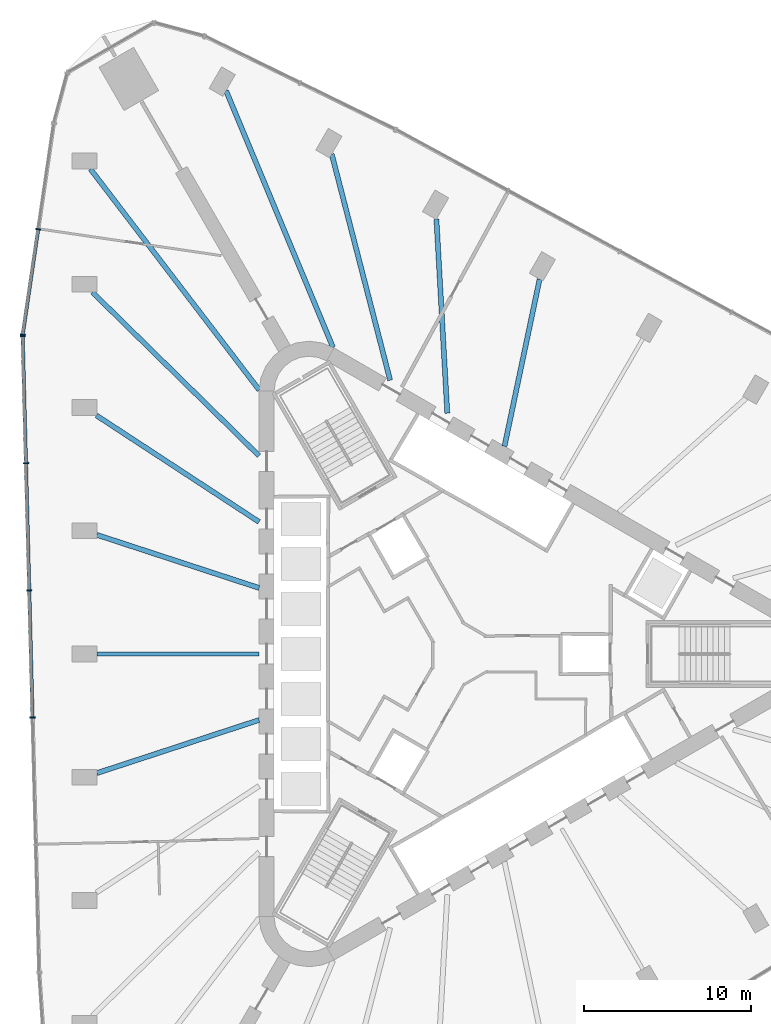
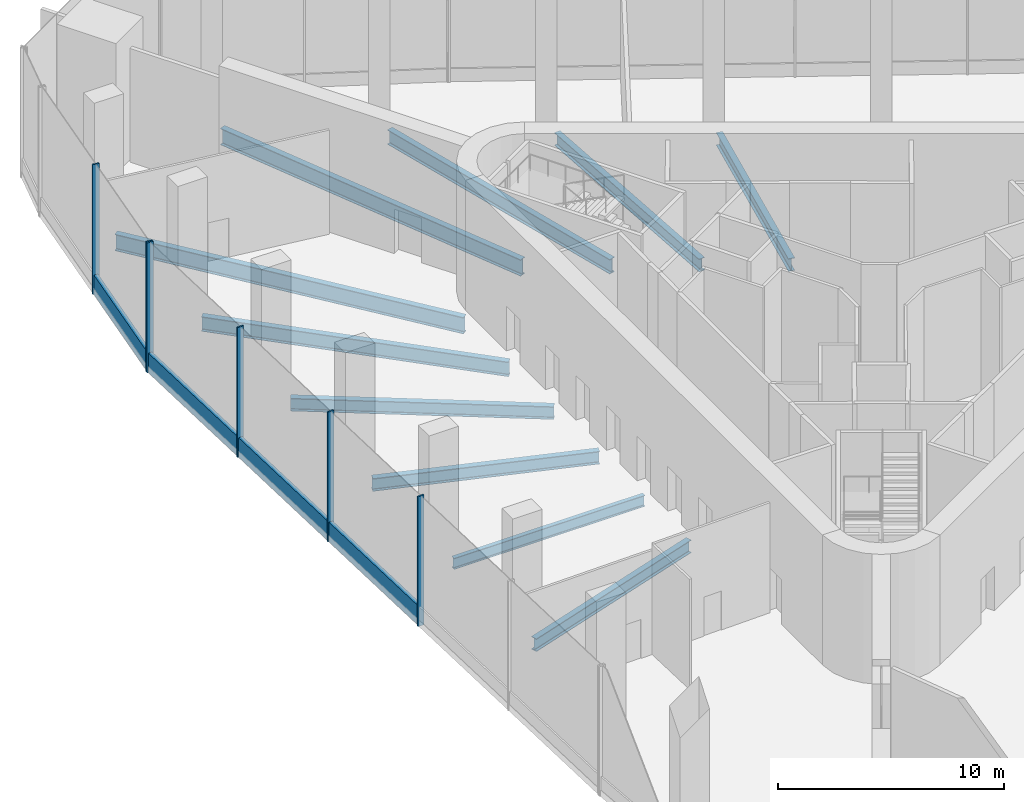
# One storey, part 4 of 15: 10 beams, 10 members, 2 elements without a shape of their own.
"""IFC4 building model written with IfcOpenShell, lengths in metres."""

import ifcopenshell
import ifcopenshell.guid

model = None  # the IFC model being written
_history = None  # IfcOwnerHistory: only IFC2X3 demands one
_inside = {}  # id of a spatial element -> (the spatial element, [elements in it])
_under = {}  # id of a project, library or spatial element -> (it, [spatial elements below it])
_declared = {}  # id of a project -> (the project, [libraries it declares])
_typed = {}  # id of a type object -> (the type object, [elements of that type])
_made_of = {}  # id of a material, layer set ... -> (it, [elements and type objects made of it])


def new_model(schema):
    """Start an empty IFC model of exactly this schema.

    Asked for "IFC4X3", IfcOpenShell would pick the latest addendum, in which some entities
    have other attributes; the version numbers below select the first issue.
    IFC2X3 requires an IfcOwnerHistory on every rooted entity: one is made here for all.
    """
    global model, _history
    if schema == "IFC4X3":
        model = ifcopenshell.file(schema_version=(4, 3, 0, 0))
    else:
        model = ifcopenshell.file(schema=schema)
    _inside.clear()
    _under.clear()
    _declared.clear()
    _typed.clear()
    _made_of.clear()
    _history = None
    if model.schema == "IFC2X3":
        org = make("IfcOrganization", Name="unknown")
        user = make(
            "IfcPersonAndOrganization",
            ThePerson=make("IfcPerson", FamilyName="unknown"),
            TheOrganization=org,
        )
        app = make(
            "IfcApplication",
            ApplicationDeveloper=org,
            Version="unknown",
            ApplicationFullName="unknown",
            ApplicationIdentifier="unknown",
        )
        _history = make(
            "IfcOwnerHistory",
            OwningUser=user,
            OwningApplication=app,
            ChangeAction="ADDED",
            CreationDate=0,
        )
    return model


def make(cls, **values):
    """One entity of the class cls with the attributes given. An attribute that is None is left unset."""
    return model.create_entity(
        cls, **{name: value for name, value in values.items() if value is not None}
    )


def rooted(cls, **values):
    """An entity with a GlobalId (a new one), such as an element, a storey or a relation."""
    return make(cls, GlobalId=ifcopenshell.guid.new(), OwnerHistory=_history, **values)


def si_unit(unit_type, name, prefix=None):
    """IfcSIUnit, for example si_unit("LENGTHUNIT", "METRE", prefix="MILLI")."""
    return make("IfcSIUnit", UnitType=unit_type, Prefix=prefix, Name=name)


def assignment(units):
    """IfcUnitAssignment: the units of a project."""
    return None if units is None else make("IfcUnitAssignment", Units=units)


def point(xyz):
    """IfcCartesianPoint."""
    return None if xyz is None else make("IfcCartesianPoint", Coordinates=xyz)


def direction(xyz):
    """IfcDirection."""
    return None if xyz is None else make("IfcDirection", DirectionRatios=xyz)


def frame(location, z_axis=None, x_axis=None):
    """IfcAxis2Placement3D, a coordinate frame: its origin and axes. An axis left out is left unset."""
    return make(
        "IfcAxis2Placement3D",
        Location=point(location),
        Axis=direction(z_axis),
        RefDirection=direction(x_axis),
    )


def frame_2d(location, x_axis=None):
    """IfcAxis2Placement2D, a coordinate frame in the plane: its origin and x axis."""
    return make(
        "IfcAxis2Placement2D", Location=point(location), RefDirection=direction(x_axis)
    )


def origin():
    """The frame at (0, 0, 0) with its axes left unset."""
    return frame((0.0, 0.0, 0.0))


def origin_2d():
    """The frame at (0, 0) in the plane with its x axis left unset."""
    return frame_2d((0.0, 0.0))


def place(relative_to, where):
    """IfcLocalPlacement: puts the frame where relative to a parent placement (None: the world)."""
    return make(
        "IfcLocalPlacement", PlacementRelTo=relative_to, RelativePlacement=where
    )


def context(
    kind, dimensions, precision=None, world=None, true_north=None, identifier=None
):
    """IfcGeometricRepresentationContext, for example the 3D "Model" context."""
    return make(
        "IfcGeometricRepresentationContext",
        ContextIdentifier=identifier,
        ContextType=kind,
        CoordinateSpaceDimension=dimensions,
        Precision=precision,
        WorldCoordinateSystem=world,
        TrueNorth=true_north,
    )


def subcontext(parent, identifier, kind, view, scale=None):
    """IfcGeometricRepresentationSubContext, for example "Body" below "Model"."""
    return make(
        "IfcGeometricRepresentationSubContext",
        ContextIdentifier=identifier,
        ContextType=kind,
        ParentContext=parent,
        TargetScale=scale,
        TargetView=view,
    )


def project(units=None, contexts=None):
    """IfcProject with its units and contexts."""
    return rooted(
        "IfcProject",
        Name="project",
        RepresentationContexts=contexts,
        UnitsInContext=assignment(units),
    )


def spatial(cls, under=None, at=None, **own):
    """A site, building, storey or space (cls), placed at a placement, below another one or the project."""
    s = rooted(cls, ObjectPlacement=at, **own)
    if under is not None:
        _under.setdefault(under.id(), (under, []))[1].append(s)
    return s


def profile(cls, at=None, kind="AREA", **sizes):
    """A parametric profile (cls). Its sizes go by their IFC names, for example OverallWidth=200.0."""
    return make(cls, ProfileType=kind, Position=at, **sizes)


def rectangle(**sizes):
    """IfcRectangleProfileDef."""
    return profile("IfcRectangleProfileDef", **sizes)


def i_section(**sizes):
    """IfcIShapeProfileDef."""
    return profile("IfcIShapeProfileDef", **sizes)


def extrude(swept, where, along, depth):
    """IfcExtrudedAreaSolid: the profile swept, set in the frame where, extruded along a direction by depth."""
    return make(
        "IfcExtrudedAreaSolid",
        SweptArea=swept,
        Position=where,
        ExtrudedDirection=direction(along),
        Depth=depth,
    )


def shape(context_of_items, identifier, shape_type, items):
    """IfcShapeRepresentation: the items that make up one representation, for example the "Body"."""
    return make(
        "IfcShapeRepresentation",
        ContextOfItems=context_of_items,
        RepresentationIdentifier=identifier,
        RepresentationType=shape_type,
        Items=items,
    )


def material(Name=None, Category=None):
    """IfcMaterial."""
    return make("IfcMaterial", Name=Name, Category=Category)


def material_profile(
    of_material, cross_section, Name=None, Category=None, Priority=None
):
    """IfcMaterialProfile: a cross section and its material."""
    return make(
        "IfcMaterialProfile",
        Name=Name,
        Material=of_material,
        Profile=cross_section,
        Priority=Priority,
        Category=Category,
    )


def profile_set(profiles, Name=None, composite=None):
    """IfcMaterialProfileSet."""
    return make(
        "IfcMaterialProfileSet",
        Name=Name,
        MaterialProfiles=profiles,
        CompositeProfile=composite,
    )


def made_of(thing, what):
    """Note that an element or type object is made of a material, layer set ...; save() writes the relation."""
    if what is not None:
        _made_of.setdefault(what.id(), (what, []))[1].append(thing)
    return thing


def type_object(cls, material=None, **own):
    """A type object (cls), such as IfcWallType, which elements share."""
    return made_of(rooted(cls, **own), material)


def element(
    cls,
    number,
    at=None,
    inside=None,
    cuts=None,
    type_object=None,
    material=None,
    context=None,
    identifier="Body",
    shape_type=None,
    held_by="IfcProductDefinitionShape",
    body=None,
    shapes=None,
    **own,
):
    """One element of the class cls, such as IfcWall. Its Tag is "e" and its number.

    at: its placement. inside: the storey or other place that contains it. cuts: it is an
    opening in that element (IfcRelVoidsElement). A single representation is given by context,
    identifier, shape_type and body (its items); several are given by shapes. held_by: the class
    of the entity that holds the representations. save() writes the other relations.
    """
    e = rooted(cls, Tag="e%d" % number, ObjectPlacement=at, **own)
    if body is not None:
        shapes = [shape(context, identifier, shape_type, body)]
    if shapes is not None:
        e.Representation = make(held_by, Representations=shapes)
    if inside is not None:
        _inside.setdefault(inside.id(), (inside, []))[1].append(e)
    if cuts is not None:
        rooted(
            "IfcRelVoidsElement", RelatingBuildingElement=cuts, RelatedOpeningElement=e
        )
    if type_object is not None:
        _typed.setdefault(type_object.id(), (type_object, []))[1].append(e)
    return made_of(e, material)


def aggregate(whole, parts):
    """IfcRelAggregates: a whole, such as a stair, and the parts it consists of."""
    return rooted("IfcRelAggregates", RelatingObject=whole, RelatedObjects=parts)


def save(model, path):
    """Write the relations noted so far, then the file.

    IfcRelAggregates (storeys below a building ...), IfcRelContainedInSpatialStructure (elements
    in a storey), IfcRelDefinesByType, IfcRelAssociatesMaterial and IfcRelDeclares: one each for
    every whole, place, type object, material and project.
    """
    for whole, parts in _under.values():
        aggregate(whole, parts)
    for where, things in _inside.values():
        rooted(
            "IfcRelContainedInSpatialStructure",
            RelatedElements=things,
            RelatingStructure=where,
        )
    for kind, things in _typed.values():
        rooted("IfcRelDefinesByType", RelatedObjects=things, RelatingType=kind)
    for what, things in _made_of.values():
        rooted("IfcRelAssociatesMaterial", RelatedObjects=things, RelatingMaterial=what)
    for by, libraries in _declared.values():
        rooted("IfcRelDeclares", RelatingContext=by, RelatedDefinitions=libraries)
    model.write(path)


model = new_model("IFC4")

# Units and contexts
model_context = context("Model", 3, precision=1e-05, world=origin(), true_north=direction((0.0, 1.0)))
body_context = subcontext(model_context, "Body", "Model", "MODEL_VIEW")
ifc_project = project(units=[si_unit("LENGTHUNIT", "METRE"), si_unit("AREAUNIT", "SQUARE_METRE"), si_unit("VOLUMEUNIT", "CUBIC_METRE"), si_unit("PLANEANGLEUNIT", "RADIAN"), si_unit("MASSUNIT", "GRAM", prefix="KILO")], contexts=[model_context])

# Site, building, storey
site_placement = place(None, origin())
site = spatial("IfcSite", under=ifc_project, at=site_placement, CompositionType="ELEMENT")
building_placement = place(site_placement, origin())
building = spatial("IfcBuilding", under=site, at=building_placement, Name="Tanit Gate Tower", CompositionType="ELEMENT")
storey_placement = place(building_placement, frame((0.0, 0.0, 156.199951171875)))
storey = spatial("IfcBuildingStorey", under=building, at=storey_placement, Name="L34", CompositionType="ELEMENT", Elevation=156.199951171875)

# Curtain wall, members
ifc_material_1 = material(Name="Aluminium bronze anodised and glass", Category="aluminium")
curtain_wall_type = type_object("IfcCurtainWallType", Name="Curtain wall sky lobby", PredefinedType="NOTDEFINED", material=ifc_material_1)
curtain_wall_1_placement = place(storey_placement, origin())
curtain_wall_1 = element("IfcCurtainWall", 1, at=curtain_wall_1_placement, inside=storey, type_object=curtain_wall_type, Name="Curtain wall L34 W1", PredefinedType="NOTDEFINED")
ifc_material_2 = material(Name="Aluminium bronze anodised", Category="aluminium")
ifc_material_profile_1 = material_profile(ifc_material_2, rectangle(XDim=0.320068359375, YDim=0.080078125, at=origin_2d()), Name="80x320 bronze mullion")
ifc_profile_set_1 = profile_set([ifc_material_profile_1], Name="Aluminium bronze anodised")
member_type_1 = type_object("IfcMemberType", Name="Mullion 80x320 sky lobby", PredefinedType="MULLION", material=ifc_profile_set_1)
member_1_placement = place(storey_placement, frame((-25.348876953125, 25.476806640625, -0.349853515625), z_axis=(0.0, 0.0, 1.0), x_axis=(0.989399755479, -0.145217505343, 0.0)))
member_1 = element("IfcMember", 2, at=member_1_placement, type_object=member_type_1, Name="Mullion L34 W1.2", PredefinedType="MULLION", context=body_context, shape_type="SweptSolid", body=[
    extrude(rectangle(XDim=0.320068359375, YDim=0.080078125, at=origin_2d()), origin(), (0.0, 0.0, 1.0), 7.0),
])
member_2_placement = place(storey_placement, frame((-26.277099609375, 19.15185546875, -0.349853515625), z_axis=(0.0, 0.0, 1.0), x_axis=(0.989399755479, -0.145217505343, 0.0)))
member_2 = element("IfcMember", 3, at=member_2_placement, type_object=member_type_1, Name="Mullion L34 W1.3", PredefinedType="MULLION", context=body_context, shape_type="SweptSolid", body=[
    extrude(rectangle(XDim=0.320068359375, YDim=0.080078125, at=origin_2d()), origin(), (0.0, 0.0, 1.0), 7.0),
])

curtain_wall_2_placement = place(storey_placement, origin())
curtain_wall_2 = element("IfcCurtainWall", 4, at=curtain_wall_2_placement, inside=storey, type_object=curtain_wall_type, Name="Curtain wall L34 W2", PredefinedType="NOTDEFINED")
member_3_placement = place(storey_placement, frame((-26.281982421875, 19.072265625, -0.349853515625), z_axis=(0.0, 0.0, 1.0), x_axis=(0.999663917086, 0.025923982634, 0.0)))
member_3 = element("IfcMember", 5, at=member_3_placement, type_object=member_type_1, Name="Mullion L34 W2.1", PredefinedType="MULLION", context=body_context, shape_type="SweptSolid", body=[
    extrude(rectangle(XDim=0.320068359375, YDim=0.080078125, at=origin_2d()), origin(), (0.0, 0.0, 1.0), 7.0),
])
member_4_placement = place(storey_placement, frame((-26.084228515625, 11.443115234375, -0.349853515625), z_axis=(0.0, 0.0, 1.0), x_axis=(0.999663917086, 0.025923982634, 0.0)))
member_4 = element("IfcMember", 6, at=member_4_placement, type_object=member_type_1, Name="Mullion L34 W2.2", PredefinedType="MULLION", context=body_context, shape_type="SweptSolid", body=[
    extrude(rectangle(XDim=0.320068359375, YDim=0.080078125, at=origin_2d()), origin(), (0.0, 0.0, 1.0), 7.0),
])
member_5_placement = place(storey_placement, frame((-25.88623046875, 3.81396484375, -0.349853515625), z_axis=(0.0, 0.0, 1.0), x_axis=(0.999663917086, 0.025923982634, 0.0)))
member_5 = element("IfcMember", 7, at=member_5_placement, type_object=member_type_1, Name="Mullion L34 W2.3", PredefinedType="MULLION", context=body_context, shape_type="SweptSolid", body=[
    extrude(rectangle(XDim=0.320068359375, YDim=0.080078125, at=origin_2d()), origin(), (0.0, 0.0, 1.0), 7.0),
])
member_6_placement = place(storey_placement, frame((-25.6884765625, -3.8154296875, -0.349853515625), z_axis=(0.0, 0.0, 1.0), x_axis=(0.999663917086, 0.025923982634, 0.0)))
member_6 = element("IfcMember", 8, at=member_6_placement, type_object=member_type_1, Name="Mullion L34 W2.4", PredefinedType="MULLION", context=body_context, shape_type="SweptSolid", body=[
    extrude(rectangle(XDim=0.320068359375, YDim=0.080078125, at=origin_2d()), origin(), (0.0, 0.0, 1.0), 7.0),
])

# Beams
ifc_material_3 = material(Name="Steel S355", Category="steel")
ifc_material_profile_2 = material_profile(ifc_material_3, i_section(OverallWidth=0.300048828125, OverallDepth=0.68994140625, WebThickness=0.014404296875, FlangeThickness=0.027099609375, FilletRadius=0.027099609375, at=origin_2d()), Name="HEA 700")
ifc_profile_set_2 = profile_set([ifc_material_profile_2], Name="Steel S355")
beam_type_1 = type_object("IfcBeamType", Name="RADIAL GIRDER HEA 700 S355", PredefinedType="BEAM", material=ifc_profile_set_2)
for number, where, z_axis, x_axis, name in (
    (9, (-21.83251953125, -7.14599609375, -0.695068359375), (0.950388541719, 0.311065298242, 0.0), (-0.311065298242, 0.950388541719, 0.0), "RADIAL GIRDER"),
    (10, (4.7275390625, 22.48046875, -0.695068359375), (-0.205786947525, -0.978596818015, 0.0), (0.978596818015, -0.205786947525, 0.0), "RADIAL GIRDER"),
):
    element("IfcBeam", number, at=place(storey_placement, frame(where, z_axis=z_axis, x_axis=x_axis)), inside=storey, type_object=beam_type_1, Name=name, PredefinedType="BEAM", context=body_context, shape_type="SweptSolid", body=[
        extrude(i_section(OverallWidth=0.300048828125, OverallDepth=0.68994140625, WebThickness=0.014404296875, FlangeThickness=0.027099609375, FilletRadius=0.027099609375, at=origin_2d()), origin(), (0.0, 0.0, 1.0), 10.238525390625),
    ])
beam_1_placement = place(storey_placement, frame((-1.46240234375, 26.08251953125, -0.695068359375), z_axis=(0.055972182093, -0.998432328619, 0.0), x_axis=(0.998432328619, 0.055972182093, 0.0)))
element("IfcBeam", 11, at=beam_1_placement, inside=storey, type_object=beam_type_1, Name="RADIAL GIRDER", PredefinedType="BEAM", context=body_context, shape_type="SweptSolid", body=[
    extrude(i_section(OverallWidth=0.300048828125, OverallDepth=0.68994140625, WebThickness=0.014404296875, FlangeThickness=0.027099609375, FilletRadius=0.027099609375, at=origin_2d()), origin(), (0.0, 0.0, 1.0), 11.6591796875),
])
beam_2_placement = place(storey_placement, frame((-21.856689453125, 14.307861328125, -0.695068359375), z_axis=(0.836666622901, -0.547712481256, 0.0), x_axis=(0.547712481256, 0.836666622901, 0.0)))
element("IfcBeam", 12, at=beam_2_placement, inside=storey, type_object=beam_type_1, Name="RADIAL GIRDER", PredefinedType="BEAM", context=body_context, shape_type="SweptSolid", body=[
    extrude(i_section(OverallWidth=0.300048828125, OverallDepth=0.68994140625, WebThickness=0.014404296875, FlangeThickness=0.027099609375, FilletRadius=0.027099609375, at=origin_2d()), origin(), (0.0, 0.0, 1.0), 11.658935546875),
])
beam_3_placement = place(storey_placement, frame((-21.83251953125, 7.14599609375, -0.695068359375), z_axis=(0.950388541719, -0.311065298242, 0.0), x_axis=(0.311065298242, 0.950388541719, 0.0)))
element("IfcBeam", 13, at=beam_3_placement, inside=storey, type_object=beam_type_1, Name="RADIAL GIRDER", PredefinedType="BEAM", context=body_context, shape_type="SweptSolid", body=[
    extrude(i_section(OverallWidth=0.300048828125, OverallDepth=0.68994140625, WebThickness=0.014404296875, FlangeThickness=0.027099609375, FilletRadius=0.027099609375, at=origin_2d()), origin(), (0.0, 0.0, 1.0), 10.238525390625),
])
ifc_material_4 = material(Name="Steel S355", Category="steel")
ifc_material_profile_3 = material_profile(ifc_material_4, i_section(OverallWidth=0.300048828125, OverallDepth=0.7900390625, WebThickness=0.014892578125, FlangeThickness=0.028076171875, FilletRadius=0.030029296875, at=origin_2d()), Name="HEA 800")
ifc_profile_set_3 = profile_set([ifc_material_profile_3], Name="Steel S355")
beam_type_2 = type_object("IfcBeamType", Name="RADIAL GIRDER HEA 800 S355", PredefinedType="BEAM", material=ifc_profile_set_3)
for number, where, z_axis, x_axis, name in (
    (14, (-7.742919921875, 29.98779296875, -0.744873046875), (0.250007137307, -0.968243993679, 0.0), (0.968243993679, 0.250007137307, 0.0), "RADIAL GIRDER"),
    (15, (-22.0986328125, 21.69921875, -0.744873046875), (0.713525004951, -0.70062976479, 0.0), (0.70062976479, 0.713525004951, 0.0), "RADIAL GIRDER"),
):
    element("IfcBeam", number, at=place(storey_placement, frame(where, z_axis=z_axis, x_axis=x_axis)), inside=storey, type_object=beam_type_2, Name=name, PredefinedType="BEAM", context=body_context, shape_type="SweptSolid", body=[
        extrude(i_section(OverallWidth=0.300048828125, OverallDepth=0.7900390625, WebThickness=0.014892578125, FlangeThickness=0.028076171875, FilletRadius=0.030029296875, at=origin_2d()), origin(), (0.0, 0.0, 1.0), 14.01025390625),
    ])
ifc_material_5 = material(Name="Steel S355", Category="steel")
ifc_material_profile_4 = material_profile(ifc_material_5, i_section(OverallWidth=0.300048828125, OverallDepth=0.889892578125, WebThickness=0.01611328125, FlangeThickness=0.030029296875, FilletRadius=0.030029296875, at=origin_2d()), Name="HEA 900")
ifc_profile_set_4 = profile_set([ifc_material_profile_4], Name="Steel S355")
beam_type_3 = type_object("IfcBeamType", Name="RADIAL GIRDER HEA 900 S355", PredefinedType="BEAM", material=ifc_profile_set_4)
for number, where, z_axis, x_axis, name in (
    (16, (-14.08349609375, 33.7880859375, -0.794921875), (0.384731757577, -0.923028425733, 0.0), (0.923028425733, 0.384731757577, 0.0), "RADIAL GIRDER"),
    (17, (-22.219482421875, 29.0908203125, -0.794921875), (0.606989396765, -0.794709929606, 0.0), (0.794709929606, 0.606989396765, 0.0), "RADIAL GIRDER"),
):
    element("IfcBeam", number, at=place(storey_placement, frame(where, z_axis=z_axis, x_axis=x_axis)), inside=storey, type_object=beam_type_3, Name=name, PredefinedType="BEAM", context=body_context, shape_type="SweptSolid", body=[
        extrude(i_section(OverallWidth=0.300048828125, OverallDepth=0.889892578125, WebThickness=0.01611328125, FlangeThickness=0.030029296875, FilletRadius=0.030029296875, at=origin_2d()), origin(), (0.0, 0.0, 1.0), 16.68359375),
    ])
ifc_material_6 = material(Name="Steel S355", Category="steel")
ifc_material_profile_5 = material_profile(ifc_material_6, i_section(OverallWidth=0.219970703125, OverallDepth=0.60009765625, WebThickness=0.011962890625, FlangeThickness=0.01904296875, FilletRadius=0.02392578125, at=origin_2d()), Name="IPE 600")
ifc_profile_set_5 = profile_set([ifc_material_profile_5], Name="Steel S355")
beam_type_4 = type_object("IfcBeamType", Name="RADIAL GIRDER IPE 600 S355", PredefinedType="BEAM", material=ifc_profile_set_5)
beam_4_placement = place(storey_placement, frame((-21.83251953125, 0.0, -0.64990234375), z_axis=(1.0, 0.0, 0.0), x_axis=(0.0, 1.0, 0.0)))
element("IfcBeam", 18, at=beam_4_placement, inside=storey, type_object=beam_type_4, Name="RADIAL GIRDER", PredefinedType="BEAM", context=body_context, shape_type="SweptSolid", body=[
    extrude(i_section(OverallWidth=0.219970703125, OverallDepth=0.60009765625, WebThickness=0.011962890625, FlangeThickness=0.01904296875, FilletRadius=0.02392578125, at=origin_2d()), origin(), (0.0, 0.0, 1.0), 9.73046875),
])

# Member
ifc_material_7 = material(Name="Aluminium bronze anodised", Category="aluminium")
ifc_material_profile_6 = material_profile(ifc_material_7, rectangle(XDim=0.199951171875, YDim=1.050048828125, at=origin_2d()), Name="200x1050 bronze transom")
ifc_profile_set_6 = profile_set([ifc_material_profile_6], Name="Aluminium bronze anodised")
member_type_2 = type_object("IfcMemberType", Name="Transom 200x1050 sky lobby", PredefinedType="USERDEFINED", material=ifc_profile_set_6)
member_7_placement = place(storey_placement, frame((-25.354736328125, 25.437255859375, 0.175048828125), z_axis=(-0.145221203289, -0.989399212712, 0.0), x_axis=(0.989399212712, -0.145221203289, 0.0)))
member_7 = element("IfcMember", 19, at=member_7_placement, type_object=member_type_2, Name="Transom L34 W1.2", ObjectType="TRANSOM", PredefinedType="USERDEFINED", context=body_context, shape_type="SweptSolid", body=[
    extrude(rectangle(XDim=0.199951171875, YDim=1.050048828125, at=origin_2d()), origin(), (0.0, 0.0, 1.0), 6.312744140625),
])

aggregate(curtain_wall_1, [member_1, member_2, member_7])

member_8_placement = place(storey_placement, frame((-26.281005859375, 19.0322265625, 0.175048828125), z_axis=(0.025927507541, -0.99966382567, 0.0), x_axis=(0.99966382567, 0.025927507541, 0.0)))
member_8 = element("IfcMember", 20, at=member_8_placement, type_object=member_type_2, Name="Transom L34 W2.1", ObjectType="TRANSOM", PredefinedType="USERDEFINED", context=body_context, shape_type="SweptSolid", body=[
    extrude(rectangle(XDim=0.199951171875, YDim=1.050048828125, at=origin_2d()), origin(), (0.0, 0.0, 1.0), 7.5517578125),
])

member_9_placement = place(storey_placement, frame((-26.0830078125, 11.403076171875, 0.175048828125), z_axis=(0.02589520067, -0.999664663066, 0.0), x_axis=(0.999664663066, 0.02589520067, 0.0)))
member_9 = element("IfcMember", 21, at=member_9_placement, type_object=member_type_2, Name="Transom L34 W2.2", ObjectType="TRANSOM", PredefinedType="USERDEFINED", context=body_context, shape_type="SweptSolid", body=[
    extrude(rectangle(XDim=0.199951171875, YDim=1.050048828125, at=origin_2d()), origin(), (0.0, 0.0, 1.0), 7.5517578125),
])

member_10_placement = place(storey_placement, frame((-25.88525390625, 3.77392578125, 0.175048828125), z_axis=(0.025927507541, -0.99966382567, 0.0), x_axis=(0.99966382567, 0.025927507541, 0.0)))
member_10 = element("IfcMember", 22, at=member_10_placement, type_object=member_type_2, Name="Transom L34 W2.3", ObjectType="TRANSOM", PredefinedType="USERDEFINED", context=body_context, shape_type="SweptSolid", body=[
    extrude(rectangle(XDim=0.199951171875, YDim=1.050048828125, at=origin_2d()), origin(), (0.0, 0.0, 1.0), 7.5517578125),
])

aggregate(curtain_wall_2, [member_3, member_4, member_5, member_6, member_8, member_9, member_10])

save(model, "model.ifc")
